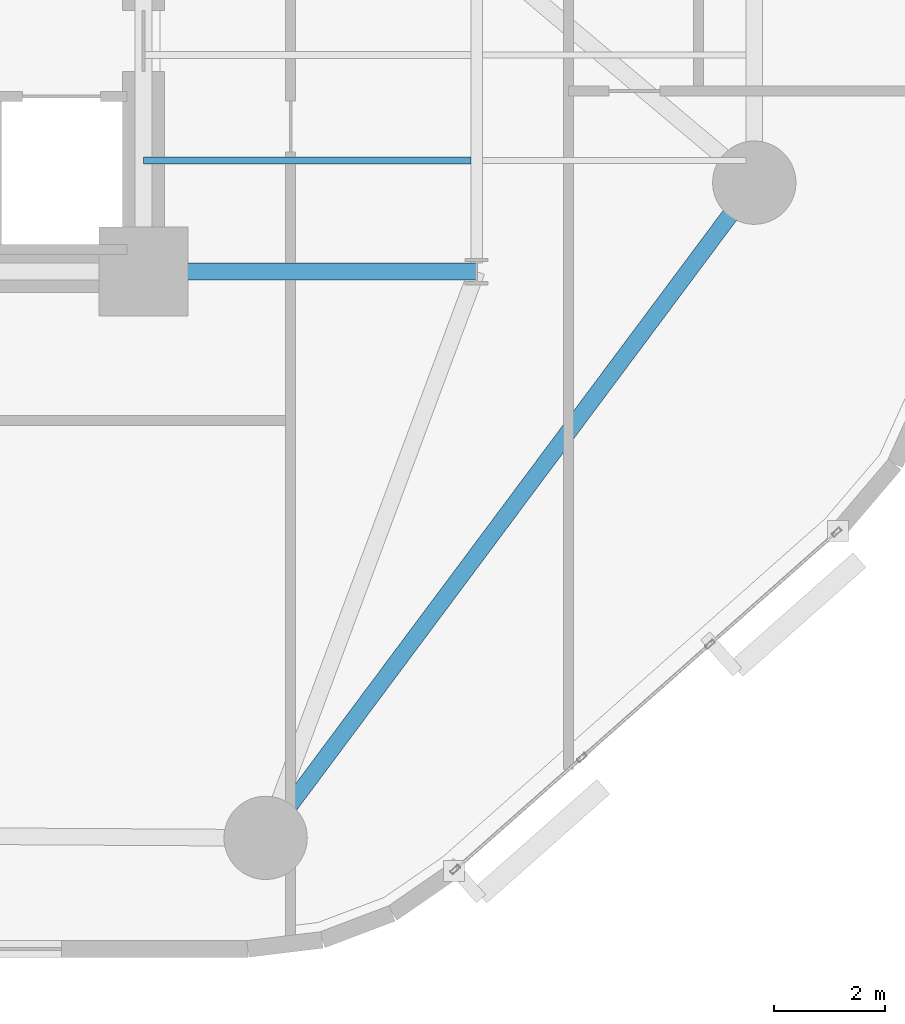
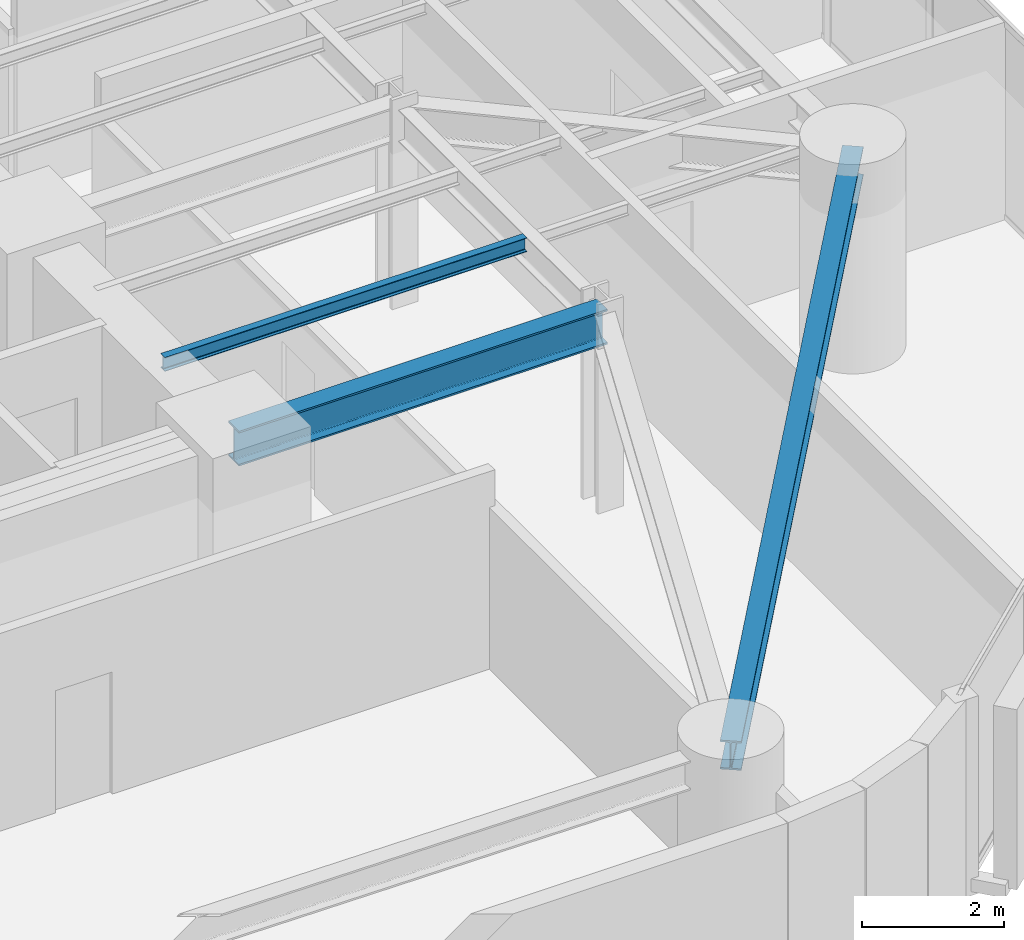
# One storey, part 3 of 16: 3 beams.
"""IFC4 building model written with IfcOpenShell, lengths in metres."""

from ifc_helpers import new_model, si_unit, direction, frame, origin, origin_2d, place, context, subcontext, project, spatial, i_section, extrude, material, material_profile, profile_set, type_object, element, save


model = new_model("IFC4")

# Units and contexts
model_context = context("Model", 3, precision=1e-05, world=origin(), true_north=direction((0.0, 1.0)))
body_context = subcontext(model_context, "Body", "Model", "MODEL_VIEW")
ifc_project = project(units=[si_unit("LENGTHUNIT", "METRE"), si_unit("AREAUNIT", "SQUARE_METRE"), si_unit("VOLUMEUNIT", "CUBIC_METRE"), si_unit("PLANEANGLEUNIT", "RADIAN"), si_unit("MASSUNIT", "GRAM", prefix="KILO")], contexts=[model_context])

# Site, building, storey
site_placement = place(None, origin())
site = spatial("IfcSite", under=ifc_project, at=site_placement, CompositionType="ELEMENT")
building_placement = place(site_placement, origin())
building = spatial("IfcBuilding", under=site, at=building_placement, Name="An Khanh Terracotta Commons", CompositionType="ELEMENT")
storey_placement = place(building_placement, frame((0.0, 0.0, 50.39990234375)))
storey = spatial("IfcBuildingStorey", under=building, at=storey_placement, Name="L13", CompositionType="ELEMENT", Elevation=50.39990234375)

# Beams
ifc_material = material(Name="Steel S355J2", Category="steel")
ifc_material_profile_1 = material_profile(ifc_material, i_section(OverallWidth=0.300048828125, OverallDepth=0.5, WebThickness=0.014404296875, FlangeThickness=0.028076171875, FilletRadius=0.027099609375, at=origin_2d()), Name="HEB500")
ifc_profile_set_1 = profile_set([ifc_material_profile_1], Name="Steel S355J2")
beam_type_1 = type_object("IfcBeamType", Name="BM-HEB500", PredefinedType="BEAM", material=ifc_profile_set_1)
beam_1_placement = place(storey_placement, frame((39.39990234375, 4.199951171875, 3.150146484375), z_axis=(0.59782442166, 0.801627070942, 0.0), x_axis=(-0.801627070942, 0.59782442166, 0.0)))
element("IfcBeam", 1, at=beam_1_placement, inside=storey, type_object=beam_type_1, Name="L13 Perimeter Ring Spandrel 2", PredefinedType="BEAM", context=body_context, shape_type="SweptSolid", body=[
    extrude(i_section(OverallWidth=0.300048828125, OverallDepth=0.5, WebThickness=0.014404296875, FlangeThickness=0.028076171875, FilletRadius=0.027099609375, at=origin_2d()), origin(), (0.0, 0.0, 1.0), 14.72021484375),
])
ifc_material_profile_2 = material_profile(ifc_material, i_section(OverallWidth=0.300048828125, OverallDepth=0.60009765625, WebThickness=0.015380859375, FlangeThickness=0.030029296875, FilletRadius=0.027099609375, at=origin_2d()), Name="HEB600")
ifc_profile_set_2 = profile_set([ifc_material_profile_2], Name="Steel S355J2")
beam_type_2 = type_object("IfcBeamType", Name="BM-HEB600", PredefinedType="BEAM", material=ifc_profile_set_2)
beam_2_placement = place(storey_placement, frame((37.199951171875, 14.39990234375, 3.10009765625), z_axis=(1.0, 0.0, 0.0), x_axis=(0.0, 1.0, 0.0)))
element("IfcBeam", 2, at=beam_2_placement, inside=storey, type_object=beam_type_2, Name="L13 East Primary Floor Girder 1", PredefinedType="BEAM", context=body_context, shape_type="SweptSolid", body=[
    extrude(i_section(OverallWidth=0.300048828125, OverallDepth=0.60009765625, WebThickness=0.015380859375, FlangeThickness=0.030029296875, FilletRadius=0.027099609375, at=origin_2d()), origin(), (0.0, 0.0, 1.0), 6.0),
])
ifc_material_profile_3 = material_profile(ifc_material, i_section(OverallWidth=0.1201171875, OverallDepth=0.239990234375, WebThickness=0.006103515625, FlangeThickness=0.009765625, FilletRadius=0.014892578125, at=origin_2d()), Name="IPE240")
ifc_profile_set_3 = profile_set([ifc_material_profile_3], Name="Steel S355J2")
beam_type_3 = type_object("IfcBeamType", Name="BM-IPE240", PredefinedType="JOIST", material=ifc_profile_set_3)
beam_3_placement = place(storey_placement, frame((37.199951171875, 16.39990234375, 3.280029296875), z_axis=(1.0, 0.0, 0.0), x_axis=(0.0, 1.0, 0.0)))
element("IfcBeam", 3, at=beam_3_placement, inside=storey, type_object=beam_type_3, Name="L13 Inboard Composite Joist 1", PredefinedType="JOIST", context=body_context, shape_type="SweptSolid", body=[
    extrude(i_section(OverallWidth=0.1201171875, OverallDepth=0.239990234375, WebThickness=0.006103515625, FlangeThickness=0.009765625, FilletRadius=0.014892578125, at=origin_2d()), origin(), (0.0, 0.0, 1.0), 5.89501953125),
])

save(model, "model.ifc")
